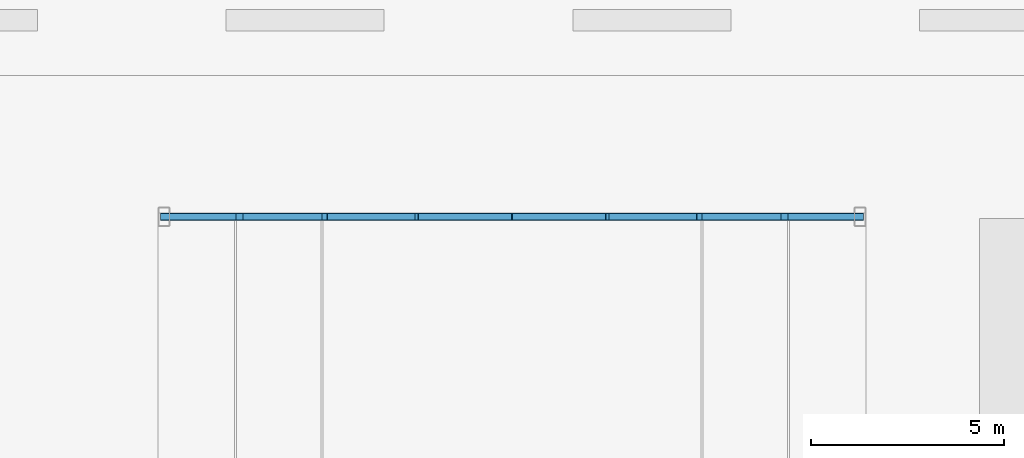
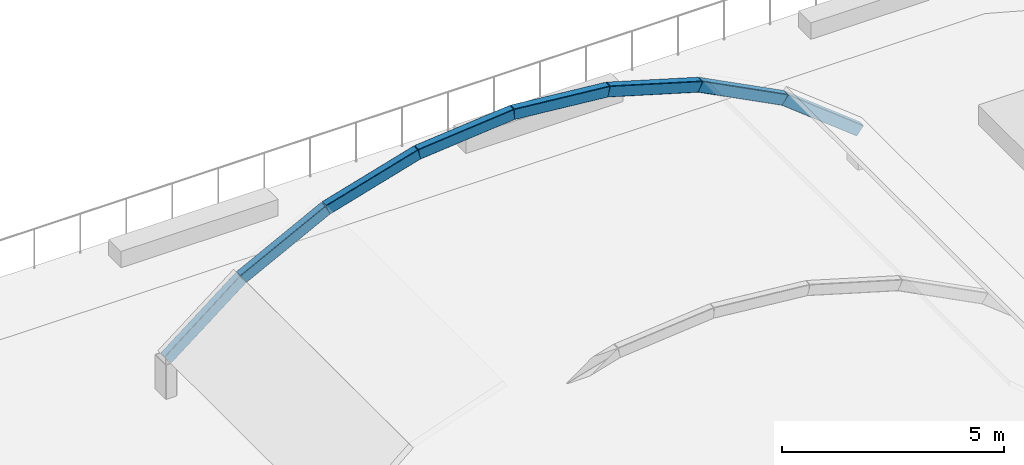
# One storey, part 19 of 33: 8 members.
"""IFC4 building model written with IfcOpenShell, lengths in metres."""

import ifcopenshell
import ifcopenshell.guid

model = None  # the IFC model being written
_history = None  # IfcOwnerHistory: only IFC2X3 demands one
_inside = {}  # id of a spatial element -> (the spatial element, [elements in it])
_under = {}  # id of a project, library or spatial element -> (it, [spatial elements below it])
_declared = {}  # id of a project -> (the project, [libraries it declares])
_typed = {}  # id of a type object -> (the type object, [elements of that type])
_made_of = {}  # id of a material, layer set ... -> (it, [elements and type objects made of it])


def new_model(schema):
    """Start an empty IFC model of exactly this schema.

    Asked for "IFC4X3", IfcOpenShell would pick the latest addendum, in which some entities
    have other attributes; the version numbers below select the first issue.
    IFC2X3 requires an IfcOwnerHistory on every rooted entity: one is made here for all.
    """
    global model, _history
    if schema == "IFC4X3":
        model = ifcopenshell.file(schema_version=(4, 3, 0, 0))
    else:
        model = ifcopenshell.file(schema=schema)
    _inside.clear()
    _under.clear()
    _declared.clear()
    _typed.clear()
    _made_of.clear()
    _history = None
    if model.schema == "IFC2X3":
        org = make("IfcOrganization", Name="unknown")
        user = make(
            "IfcPersonAndOrganization",
            ThePerson=make("IfcPerson", FamilyName="unknown"),
            TheOrganization=org,
        )
        app = make(
            "IfcApplication",
            ApplicationDeveloper=org,
            Version="unknown",
            ApplicationFullName="unknown",
            ApplicationIdentifier="unknown",
        )
        _history = make(
            "IfcOwnerHistory",
            OwningUser=user,
            OwningApplication=app,
            ChangeAction="ADDED",
            CreationDate=0,
        )
    return model


def make(cls, **values):
    """One entity of the class cls with the attributes given. An attribute that is None is left unset."""
    return model.create_entity(
        cls, **{name: value for name, value in values.items() if value is not None}
    )


def rooted(cls, **values):
    """An entity with a GlobalId (a new one), such as an element, a storey or a relation."""
    return make(cls, GlobalId=ifcopenshell.guid.new(), OwnerHistory=_history, **values)


def si_unit(unit_type, name, prefix=None):
    """IfcSIUnit, for example si_unit("LENGTHUNIT", "METRE", prefix="MILLI")."""
    return make("IfcSIUnit", UnitType=unit_type, Prefix=prefix, Name=name)


def assignment(units):
    """IfcUnitAssignment: the units of a project."""
    return None if units is None else make("IfcUnitAssignment", Units=units)


def point(xyz):
    """IfcCartesianPoint."""
    return None if xyz is None else make("IfcCartesianPoint", Coordinates=xyz)


def direction(xyz):
    """IfcDirection."""
    return None if xyz is None else make("IfcDirection", DirectionRatios=xyz)


def frame(location, z_axis=None, x_axis=None):
    """IfcAxis2Placement3D, a coordinate frame: its origin and axes. An axis left out is left unset."""
    return make(
        "IfcAxis2Placement3D",
        Location=point(location),
        Axis=direction(z_axis),
        RefDirection=direction(x_axis),
    )


def frame_2d(location, x_axis=None):
    """IfcAxis2Placement2D, a coordinate frame in the plane: its origin and x axis."""
    return make(
        "IfcAxis2Placement2D", Location=point(location), RefDirection=direction(x_axis)
    )


def origin():
    """The frame at (0, 0, 0) with its axes left unset."""
    return frame((0.0, 0.0, 0.0))


def origin_2d():
    """The frame at (0, 0) in the plane with its x axis left unset."""
    return frame_2d((0.0, 0.0))


def place(relative_to, where):
    """IfcLocalPlacement: puts the frame where relative to a parent placement (None: the world)."""
    return make(
        "IfcLocalPlacement", PlacementRelTo=relative_to, RelativePlacement=where
    )


def context(
    kind, dimensions, precision=None, world=None, true_north=None, identifier=None
):
    """IfcGeometricRepresentationContext, for example the 3D "Model" context."""
    return make(
        "IfcGeometricRepresentationContext",
        ContextIdentifier=identifier,
        ContextType=kind,
        CoordinateSpaceDimension=dimensions,
        Precision=precision,
        WorldCoordinateSystem=world,
        TrueNorth=true_north,
    )


def subcontext(parent, identifier, kind, view, scale=None):
    """IfcGeometricRepresentationSubContext, for example "Body" below "Model"."""
    return make(
        "IfcGeometricRepresentationSubContext",
        ContextIdentifier=identifier,
        ContextType=kind,
        ParentContext=parent,
        TargetScale=scale,
        TargetView=view,
    )


def project(units=None, contexts=None):
    """IfcProject with its units and contexts."""
    return rooted(
        "IfcProject",
        Name="project",
        RepresentationContexts=contexts,
        UnitsInContext=assignment(units),
    )


def spatial(cls, under=None, at=None, **own):
    """A site, building, storey or space (cls), placed at a placement, below another one or the project."""
    s = rooted(cls, ObjectPlacement=at, **own)
    if under is not None:
        _under.setdefault(under.id(), (under, []))[1].append(s)
    return s


def profile(cls, at=None, kind="AREA", **sizes):
    """A parametric profile (cls). Its sizes go by their IFC names, for example OverallWidth=200.0."""
    return make(cls, ProfileType=kind, Position=at, **sizes)


def hollow_rectangle(**sizes):
    """IfcRectangleHollowProfileDef."""
    return profile("IfcRectangleHollowProfileDef", **sizes)


def extrude(swept, where, along, depth):
    """IfcExtrudedAreaSolid: the profile swept, set in the frame where, extruded along a direction by depth."""
    return make(
        "IfcExtrudedAreaSolid",
        SweptArea=swept,
        Position=where,
        ExtrudedDirection=direction(along),
        Depth=depth,
    )


def shape(context_of_items, identifier, shape_type, items):
    """IfcShapeRepresentation: the items that make up one representation, for example the "Body"."""
    return make(
        "IfcShapeRepresentation",
        ContextOfItems=context_of_items,
        RepresentationIdentifier=identifier,
        RepresentationType=shape_type,
        Items=items,
    )


def material(Name=None, Category=None):
    """IfcMaterial."""
    return make("IfcMaterial", Name=Name, Category=Category)


def material_profile(
    of_material, cross_section, Name=None, Category=None, Priority=None
):
    """IfcMaterialProfile: a cross section and its material."""
    return make(
        "IfcMaterialProfile",
        Name=Name,
        Material=of_material,
        Profile=cross_section,
        Priority=Priority,
        Category=Category,
    )


def profile_set(profiles, Name=None, composite=None):
    """IfcMaterialProfileSet."""
    return make(
        "IfcMaterialProfileSet",
        Name=Name,
        MaterialProfiles=profiles,
        CompositeProfile=composite,
    )


def made_of(thing, what):
    """Note that an element or type object is made of a material, layer set ...; save() writes the relation."""
    if what is not None:
        _made_of.setdefault(what.id(), (what, []))[1].append(thing)
    return thing


def type_object(cls, material=None, **own):
    """A type object (cls), such as IfcWallType, which elements share."""
    return made_of(rooted(cls, **own), material)


def element(
    cls,
    number,
    at=None,
    inside=None,
    cuts=None,
    type_object=None,
    material=None,
    context=None,
    identifier="Body",
    shape_type=None,
    held_by="IfcProductDefinitionShape",
    body=None,
    shapes=None,
    **own,
):
    """One element of the class cls, such as IfcWall. Its Tag is "e" and its number.

    at: its placement. inside: the storey or other place that contains it. cuts: it is an
    opening in that element (IfcRelVoidsElement). A single representation is given by context,
    identifier, shape_type and body (its items); several are given by shapes. held_by: the class
    of the entity that holds the representations. save() writes the other relations.
    """
    e = rooted(cls, Tag="e%d" % number, ObjectPlacement=at, **own)
    if body is not None:
        shapes = [shape(context, identifier, shape_type, body)]
    if shapes is not None:
        e.Representation = make(held_by, Representations=shapes)
    if inside is not None:
        _inside.setdefault(inside.id(), (inside, []))[1].append(e)
    if cuts is not None:
        rooted(
            "IfcRelVoidsElement", RelatingBuildingElement=cuts, RelatedOpeningElement=e
        )
    if type_object is not None:
        _typed.setdefault(type_object.id(), (type_object, []))[1].append(e)
    return made_of(e, material)


def aggregate(whole, parts):
    """IfcRelAggregates: a whole, such as a stair, and the parts it consists of."""
    return rooted("IfcRelAggregates", RelatingObject=whole, RelatedObjects=parts)


def save(model, path):
    """Write the relations noted so far, then the file.

    IfcRelAggregates (storeys below a building ...), IfcRelContainedInSpatialStructure (elements
    in a storey), IfcRelDefinesByType, IfcRelAssociatesMaterial and IfcRelDeclares: one each for
    every whole, place, type object, material and project.
    """
    for whole, parts in _under.values():
        aggregate(whole, parts)
    for where, things in _inside.values():
        rooted(
            "IfcRelContainedInSpatialStructure",
            RelatedElements=things,
            RelatingStructure=where,
        )
    for kind, things in _typed.values():
        rooted("IfcRelDefinesByType", RelatedObjects=things, RelatingType=kind)
    for what, things in _made_of.values():
        rooted("IfcRelAssociatesMaterial", RelatedObjects=things, RelatingMaterial=what)
    for by, libraries in _declared.values():
        rooted("IfcRelDeclares", RelatingContext=by, RelatedDefinitions=libraries)
    model.write(path)


model = new_model("IFC4")

# Units and contexts
model_context = context("Model", 3, precision=1e-05, world=origin(), true_north=direction((0.0, 1.0)))
body_context = subcontext(model_context, "Body", "Model", "MODEL_VIEW")
ifc_project = project(units=[si_unit("LENGTHUNIT", "METRE"), si_unit("AREAUNIT", "SQUARE_METRE"), si_unit("VOLUMEUNIT", "CUBIC_METRE"), si_unit("PLANEANGLEUNIT", "RADIAN"), si_unit("MASSUNIT", "GRAM", prefix="KILO")], contexts=[model_context])

# Site, building, storey
site_placement = place(None, origin())
site = spatial("IfcSite", under=ifc_project, at=site_placement, CompositionType="ELEMENT")
building_placement = place(site_placement, origin())
building = spatial("IfcBuilding", under=site, at=building_placement, Name="Plateau Cross Towers", CompositionType="ELEMENT")
storey_placement = place(building_placement, frame((0.0, 0.0, 26.800048828125)))
storey = spatial("IfcBuildingStorey", under=building, at=storey_placement, Name="L05", CompositionType="ELEMENT", Elevation=26.800048828125)

# Members
ifc_material = material(Name="Steel S355", Category="steel")
ifc_material_profile = material_profile(ifc_material, hollow_rectangle(XDim=0.199951171875, YDim=0.300048828125, WallThickness=0.012451171875, InnerFilletRadius=0.012451171875, OuterFilletRadius=0.02490234375, at=origin_2d()), Name="RHS 300x200x12.5")
ifc_profile_set = profile_set([ifc_material_profile], Name="Steel S355")
member_type = type_object("IfcMemberType", Name="Vault rafter RHS 300x200x12.5", PredefinedType="RAFTER", material=ifc_profile_set)
for number, where, z_axis, x_axis, name in (
    (1, (81.0, 54.0, 1.0), (0.786362761519, 0.0, 0.61776500977), (0.0, 1.0, 0.0), "Pavilion rafter 4-1"),
    (2, (82.949462890625, 54.0, 2.531494140625), (0.889025580231, 0.0, 0.45785752991), (0.0, 1.0, 0.0), "Pavilion rafter 4-2"),
):
    element("IfcMember", number, at=place(storey_placement, frame(where, z_axis=z_axis, x_axis=x_axis)), inside=storey, type_object=member_type, Name=name, PredefinedType="RAFTER", context=body_context, shape_type="SweptSolid", body=[
        extrude(hollow_rectangle(XDim=0.199951171875, YDim=0.300048828125, WallThickness=0.012451171875, InnerFilletRadius=0.012451171875, OuterFilletRadius=0.02490234375, at=origin_2d()), origin(), (0.0, 0.0, 1.0), 2.47900390625),
    ])
member_1_placement = place(storey_placement, frame((85.1533203125, 54.0, 3.66650390625), z_axis=(0.959548764946, 0.0, 0.28154247937), x_axis=(0.0, 1.0, 0.0)))
element("IfcMember", 3, at=member_1_placement, inside=storey, type_object=member_type, Name="Pavilion rafter 4-3", PredefinedType="RAFTER", context=body_context, shape_type="SweptSolid", body=[
    extrude(hollow_rectangle(XDim=0.199951171875, YDim=0.300048828125, WallThickness=0.012451171875, InnerFilletRadius=0.012451171875, OuterFilletRadius=0.02490234375, at=origin_2d()), origin(), (0.0, 0.0, 1.0), 2.479248046875),
])
for number, where, z_axis, x_axis, name in (
    (4, (87.5322265625, 54.0, 4.364501953125), (0.995483070512, 0.0, 0.094939224374), (0.0, 1.0, 0.0), "Pavilion rafter 4-4"),
    (5, (90.0, 54.0, 4.599853515625), (0.995483070512, 0.0, -0.094939224374), (0.0, 1.0, 0.0), "Pavilion rafter 4-5"),
):
    element("IfcMember", number, at=place(storey_placement, frame(where, z_axis=z_axis, x_axis=x_axis)), inside=storey, type_object=member_type, Name=name, PredefinedType="RAFTER", context=body_context, shape_type="SweptSolid", body=[
        extrude(hollow_rectangle(XDim=0.199951171875, YDim=0.300048828125, WallThickness=0.012451171875, InnerFilletRadius=0.012451171875, OuterFilletRadius=0.02490234375, at=origin_2d()), origin(), (0.0, 0.0, 1.0), 2.47900390625),
    ])
member_2_placement = place(storey_placement, frame((92.4677734375, 54.0, 4.364501953125), z_axis=(0.959548764946, 0.0, -0.28154247937), x_axis=(0.0, 1.0, 0.0)))
element("IfcMember", 6, at=member_2_placement, inside=storey, type_object=member_type, Name="Pavilion rafter 4-6", PredefinedType="RAFTER", context=body_context, shape_type="SweptSolid", body=[
    extrude(hollow_rectangle(XDim=0.199951171875, YDim=0.300048828125, WallThickness=0.012451171875, InnerFilletRadius=0.012451171875, OuterFilletRadius=0.02490234375, at=origin_2d()), origin(), (0.0, 0.0, 1.0), 2.479248046875),
])
for number, where, z_axis, x_axis, name in (
    (7, (94.8466796875, 54.0, 3.66650390625), (0.889025580231, 0.0, -0.45785752991), (0.0, 1.0, 0.0), "Pavilion rafter 4-7"),
    (8, (97.050537109375, 54.0, 2.531494140625), (0.786362761519, 0.0, -0.61776500977), (0.0, 1.0, 0.0), "Pavilion rafter 4-8"),
):
    element("IfcMember", number, at=place(storey_placement, frame(where, z_axis=z_axis, x_axis=x_axis)), inside=storey, type_object=member_type, Name=name, PredefinedType="RAFTER", context=body_context, shape_type="SweptSolid", body=[
        extrude(hollow_rectangle(XDim=0.199951171875, YDim=0.300048828125, WallThickness=0.012451171875, InnerFilletRadius=0.012451171875, OuterFilletRadius=0.02490234375, at=origin_2d()), origin(), (0.0, 0.0, 1.0), 2.47900390625),
    ])

save(model, "model.ifc")
